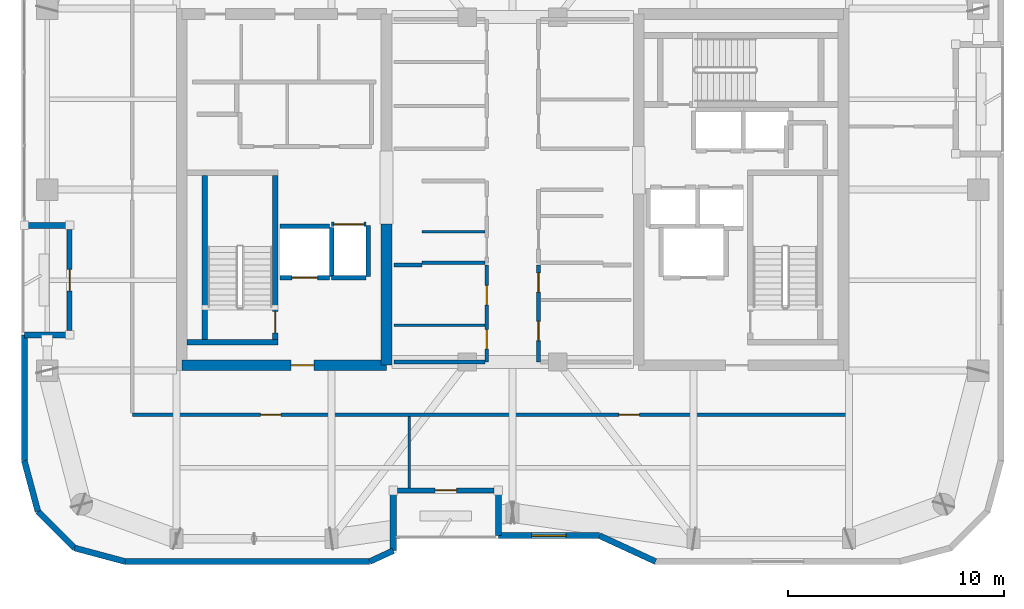
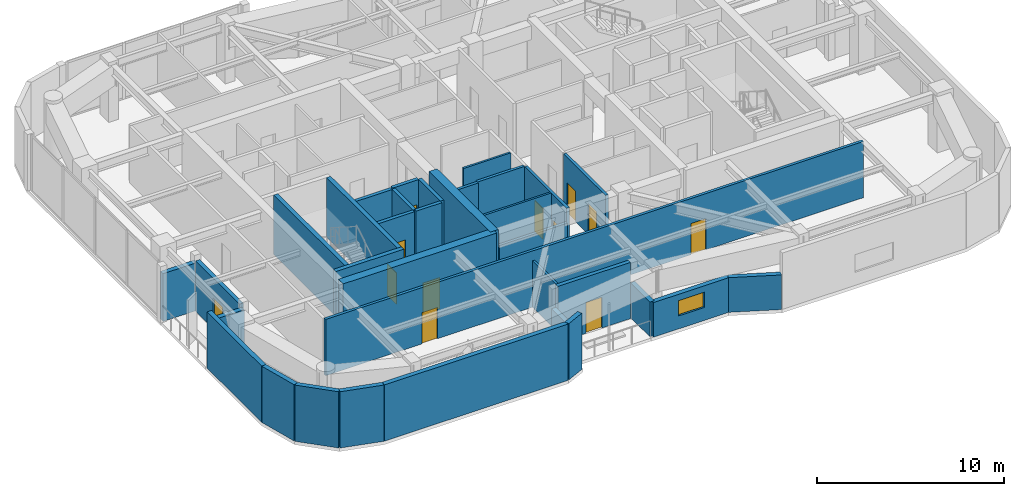
# One storey, part 10 of 15: 34 walls, 12 doors, 1 window, 13 openings.
"""IFC4 building model written with IfcOpenShell, lengths in metres."""

from ifc_helpers import new_model, si_unit, direction, frame, frame_2d, origin, place, context, subcontext, project, spatial, rectangle, extrude, material, layer, layer_set, type_object, element, fill, save


model = new_model("IFC4")

# Units and contexts
model_context = context("Model", 3, precision=1e-05, world=origin(), true_north=direction((0.0, 1.0)))
body_context = subcontext(model_context, "Body", "Model", "MODEL_VIEW")
ifc_project = project(units=[si_unit("LENGTHUNIT", "METRE"), si_unit("AREAUNIT", "SQUARE_METRE"), si_unit("VOLUMEUNIT", "CUBIC_METRE"), si_unit("PLANEANGLEUNIT", "RADIAN"), si_unit("MASSUNIT", "GRAM", prefix="KILO")], contexts=[model_context])

# Site, building, storey
site_placement = place(None, origin())
site = spatial("IfcSite", under=ifc_project, at=site_placement, CompositionType="ELEMENT")
building_placement = place(site_placement, origin())
building = spatial("IfcBuilding", under=site, at=building_placement, Name="Kiyonajd Concourse Tower", CompositionType="ELEMENT")
storey_placement = place(building_placement, frame((0.0, 0.0, 274.5)))
storey = spatial("IfcBuildingStorey", under=building, at=storey_placement, Name="L69", CompositionType="ELEMENT", Elevation=274.5)

# Wall
ifc_material_1 = material(Name="Concrete C60/75", Category="concrete")
ifc_layer_1 = layer(ifc_material_1, 0.5)
ifc_layer_set_1 = layer_set([ifc_layer_1], Name="Concrete C60/75")
wall_type_1 = type_object("IfcWallType", Name="WL-CORE-500", PredefinedType="SHEAR", material=ifc_layer_set_1)
wall_1_placement = place(storey_placement, frame((42.14990234375, 27.85009765625, 0.0), z_axis=(0.0, 0.0, 1.0), x_axis=(0.0, 1.0, 0.0)))
element("IfcWall", 1, at=wall_1_placement, inside=storey, type_object=wall_type_1, Name="L69 West Core Inner South Shear Wall", PredefinedType="SHEAR", context=body_context, shape_type="SweptSolid", body=[
    extrude(rectangle(XDim=6.5498046875, YDim=0.5, at=frame_2d((3.27490234375, 0.0))), origin(), (0.0, 0.0, 1.0), 3.89990234375),
])

# Wall, opening, door
wall_2_placement = place(storey_placement, frame((32.64990234375, 27.85009765625, 0.0), z_axis=(0.0, 0.0, 1.0), x_axis=(1.0, 0.0, 0.0)))
wall_2 = element("IfcWall", 2, at=wall_2_placement, inside=storey, type_object=wall_type_1, Name="L69 West Core South Shear Wall", PredefinedType="SHEAR", context=body_context, shape_type="SweptSolid", body=[
    extrude(rectangle(XDim=9.5, YDim=0.5, at=frame_2d((4.75, 0.0))), origin(), (0.0, 0.0, 1.0), 3.89990234375),
])
opening_1_placement = place(wall_2_placement, frame((5.074951171875, 0.0, 0.0)))
opening_1 = element("IfcOpeningElement", 3, at=opening_1_placement, cuts=wall_2, Name="Opening DF5", PredefinedType="OPENING", context=body_context, shape_type="SweptSolid", body=[
    extrude(rectangle(XDim=1.050048828125, YDim=2.0400390625, at=frame_2d((0.52490234375, 1.02001953125))), frame((0.0, 0.260009765625, 0.0), z_axis=(0.0, -1.0, 0.0), x_axis=(1.0, 0.0, 0.0)), (0.0, 0.0, 1.0), 0.52001953125),
])
ifc_material_2 = material(Name="Brushed Stainless Steel Cab Assembly", Category="steel")
door_type_1 = type_object("IfcDoorType", Name="DR-FD45-1050", OperationType="NOTDEFINED", PredefinedType="DOOR", material=ifc_material_2)
door_1_placement = place(opening_1_placement, origin())
door_1 = element("IfcDoor", 4, at=door_1_placement, inside=storey, type_object=door_type_1, Name="L69 Firefighting Lift Lobby W Smoke Door", OperationType="SINGLE_SWING_LEFT", OverallHeight=2.0400390625, OverallWidth=1.050048828125, PredefinedType="DOOR", context=body_context, shape_type="SweptSolid", body=[
    extrude(rectangle(XDim=1.050048828125, YDim=2.0400390625, at=frame_2d((0.52490234375, 1.02001953125))), frame((0.0, 0.02490234375, 0.0), z_axis=(0.0, -1.0, 0.0), x_axis=(1.0, 0.0, 0.0)), (0.0, 0.0, 1.0), 0.050048828125),
])
fill(opening_1, door_1)

# Walls
ifc_material_3 = material(Name="Precast concrete C50/60", Category="concrete")
ifc_layer_2 = layer(ifc_material_3, 0.280029296875)
ifc_layer_set_2 = layer_set([ifc_layer_2], Name="Precast concrete C50/60")
wall_type_2 = type_object("IfcWallType", Name="WL-EXT-280", PredefinedType="SOLIDWALL", material=ifc_layer_set_2)
wall_3_placement = place(storey_placement, frame((25.968505859375, 21.072509765625, 0.0), z_axis=(0.0, 0.0, 1.0), x_axis=(-0.258751159445, 0.965944013639, 0.0)))
element("IfcWall", 5, at=wall_3_placement, inside=storey, type_object=wall_type_2, Name="L69 Exterior Concrete Frame Wall 00", PredefinedType="SOLIDWALL", context=body_context, shape_type="SweptSolid", body=[
    extrude(rectangle(XDim=2.4287109375, YDim=0.280029296875, at=frame_2d((1.21435546875, 0.0))), origin(), (0.0, 0.0, 1.0), 3.679931640625),
])
wall_4_placement = place(storey_placement, frame((25.340087890625, 23.41845703125, 0.0), z_axis=(0.0, 0.0, 1.0), x_axis=(0.0, 1.0, 0.0)))
element("IfcWall", 6, at=wall_4_placement, inside=storey, type_object=wall_type_2, Name="L69 Exterior Concrete Frame Wall 01", PredefinedType="SOLIDWALL", context=body_context, shape_type="SweptSolid", body=[
    extrude(rectangle(XDim=5.841552734375, YDim=0.280029296875, at=frame_2d((2.9208984375, 0.0))), origin(), (0.0, 0.0, 1.0), 3.679931640625),
])
for number, where, z_axis, x_axis, name in (
    (7, (25.340087890625, 29.260009765625, 0.0), (0.0, 0.0, 1.0), (1.0, 0.0, 0.0), "L69 Exterior Concrete Frame Wall 02"),
    (8, (27.43994140625, 34.340087890625, 0.0), (0.0, 0.0, 1.0), (-1.0, 0.0, 0.0), "L69 Exterior Concrete Frame Wall 04"),
):
    element("IfcWall", number, at=place(storey_placement, frame(where, z_axis=z_axis, x_axis=x_axis)), inside=storey, type_object=wall_type_2, Name=name, PredefinedType="SOLIDWALL", context=body_context, shape_type="SweptSolid", body=[
        extrude(rectangle(XDim=2.099853515625, YDim=0.280029296875, at=frame_2d((1.0498046875, 0.0))), origin(), (0.0, 0.0, 1.0), 3.1259765625),
    ])
wall_5_placement = place(storey_placement, frame((54.630615234375, 18.739990234375, 0.0), z_axis=(0.0, 0.0, 1.0), x_axis=(-0.907956889006, 0.419063584324, 0.0)))
element("IfcWall", 9, at=wall_5_placement, inside=storey, type_object=wall_type_2, Name="L69 Exterior Concrete Frame Wall 29", PredefinedType="SOLIDWALL", context=body_context, shape_type="SweptSolid", body=[
    extrude(rectangle(XDim=2.863525390625, YDim=0.280029296875, at=frame_2d((1.431640625, 0.0))), origin(), (0.0, 0.0, 1.0), 2.264892578125),
])

# Wall, opening, window
wall_6_placement = place(storey_placement, frame((52.03076171875, 19.93994140625, 0.0), z_axis=(0.0, 0.0, 1.0), x_axis=(-1.0, 0.0, 0.0)))
wall_6 = element("IfcWall", 10, at=wall_6_placement, inside=storey, type_object=wall_type_2, Name="L69 Exterior Concrete Frame Wall 30", PredefinedType="SOLIDWALL", context=body_context, shape_type="SweptSolid", body=[
    extrude(rectangle(XDim=4.690673828125, YDim=0.280029296875, at=frame_2d((2.34521484375, 0.0))), origin(), (0.0, 0.0, 1.0), 2.264892578125),
])
opening_2_placement = place(wall_6_placement, frame((1.544921875, 0.0, 0.85009765625)))
opening_2 = element("IfcOpeningElement", 11, at=opening_2_placement, cuts=wall_6, Name="Opening WN6", PredefinedType="OPENING", context=body_context, shape_type="SweptSolid", body=[
    extrude(rectangle(XDim=1.60009765625, YDim=1.0, at=frame_2d((0.800048828125, 0.5))), frame((0.0, 0.14990234375, 0.0), z_axis=(0.0, -1.0, 0.0), x_axis=(1.0, 0.0, 0.0)), (0.0, 0.0, 1.0), 0.300048828125),
])
ifc_material_4 = material(Name="Double Low-E Insulated Glass", Category="glass")
window_type = type_object("IfcWindowType", Name="WN-VIS-1600x1000", PartitioningType="SINGLE_PANEL", PredefinedType="WINDOW", material=ifc_material_4)
window_placement = place(opening_2_placement, origin())
window = element("IfcWindow", 12, at=window_placement, inside=storey, type_object=window_type, Name="L69 Modular Facade Vision Window 30", OverallHeight=1.0, OverallWidth=1.60009765625, PartitioningType="SINGLE_PANEL", PredefinedType="WINDOW", context=body_context, shape_type="SweptSolid", body=[
    extrude(rectangle(XDim=1.60009765625, YDim=1.0, at=frame_2d((0.800048828125, 0.5))), frame((0.0, 0.030029296875, 0.0), z_axis=(0.0, -1.0, 0.0), x_axis=(1.0, 0.0, 0.0)), (0.0, 0.0, 1.0), 0.06005859375),
])
fill(opening_2, window)

# Walls
wall_7_placement = place(storey_placement, frame((47.340087890625, 19.93994140625, 0.0), z_axis=(0.0, 0.0, 1.0), x_axis=(0.0, 1.0, 0.0)))
element("IfcWall", 13, at=wall_7_placement, inside=storey, type_object=wall_type_2, Name="L69 Exterior Concrete Frame Wall 31", PredefinedType="SOLIDWALL", context=body_context, shape_type="SweptSolid", body=[
    extrude(rectangle(XDim=2.10009765625, YDim=0.280029296875, at=frame_2d((1.050048828125, 0.0))), origin(), (0.0, 0.0, 1.0), 2.264892578125),
])
wall_8_placement = place(storey_placement, frame((42.4599609375, 22.0400390625, 0.0), z_axis=(0.0, 0.0, 1.0), x_axis=(0.0, -1.0, 0.0)))
element("IfcWall", 14, at=wall_8_placement, inside=storey, type_object=wall_type_2, Name="L69 Exterior Concrete Frame Wall 33", PredefinedType="SOLIDWALL", context=body_context, shape_type="SweptSolid", body=[
    extrude(rectangle(XDim=2.79638671875, YDim=0.280029296875, at=frame_2d((1.398193359375, 0.0))), origin(), (0.0, 0.0, 1.0), 2.264892578125),
])
wall_9_placement = place(storey_placement, frame((42.4599609375, 19.24365234375, 0.0), z_axis=(0.0, 0.0, 1.0), x_axis=(-0.907893953211, -0.419199916176, 0.0)))
element("IfcWall", 15, at=wall_9_placement, inside=storey, type_object=wall_type_2, Name="L69 Exterior Concrete Frame Wall 34", PredefinedType="SOLIDWALL", context=body_context, shape_type="SweptSolid", body=[
    extrude(rectangle(XDim=1.201416015625, YDim=0.280029296875, at=frame_2d((0.6005859375, 0.0))), origin(), (0.0, 0.0, 1.0), 3.679931640625),
])
wall_10_placement = place(storey_placement, frame((41.369140625, 18.739990234375, 0.0), z_axis=(0.0, 0.0, 1.0), x_axis=(-1.0, 0.0, 0.0)))
element("IfcWall", 16, at=wall_10_placement, inside=storey, type_object=wall_type_2, Name="L69 Exterior Concrete Frame Wall 35", PredefinedType="SOLIDWALL", context=body_context, shape_type="SweptSolid", body=[
    extrude(rectangle(XDim=11.350830078125, YDim=0.280029296875, at=frame_2d((5.67529296875, 0.0))), origin(), (0.0, 0.0, 1.0), 3.679931640625),
])
wall_11_placement = place(storey_placement, frame((30.018310546875, 18.739990234375, 0.0), z_axis=(0.0, 0.0, 1.0), x_axis=(-0.965937282298, 0.25877628691, 0.0)))
element("IfcWall", 17, at=wall_11_placement, inside=storey, type_object=wall_type_2, Name="L69 Exterior Concrete Frame Wall 36", PredefinedType="SOLIDWALL", context=body_context, shape_type="SweptSolid", body=[
    extrude(rectangle(XDim=2.428466796875, YDim=0.280029296875, at=frame_2d((1.21435546875, 0.0))), origin(), (0.0, 0.0, 1.0), 3.679931640625),
])
wall_12_placement = place(storey_placement, frame((27.672607421875, 19.368408203125, 0.0), z_axis=(0.0, 0.0, 1.0), x_axis=(-0.707106781187, 0.707106781187, 0.0)))
element("IfcWall", 18, at=wall_12_placement, inside=storey, type_object=wall_type_2, Name="L69 Exterior Concrete Frame Wall 37", PredefinedType="SOLIDWALL", context=body_context, shape_type="SweptSolid", body=[
    extrude(rectangle(XDim=2.409912109375, YDim=0.280029296875, at=frame_2d((1.205078125, 0.0))), origin(), (0.0, 0.0, 1.0), 3.679931640625),
])

# Wall, opening, door
ifc_layer_3 = layer(ifc_material_3, 0.239990234375)
ifc_layer_set_3 = layer_set([ifc_layer_3], Name="Precast concrete C50/60")
wall_type_3 = type_object("IfcWallType", Name="WL-LOG-240", PredefinedType="SOLIDWALL", material=ifc_layer_set_3)
wall_13_placement = place(storey_placement, frame((27.43994140625, 29.455078125, 0.0), z_axis=(0.0, 0.0, 1.0), x_axis=(0.0, 1.0, 0.0)))
wall_13 = element("IfcWall", 19, at=wall_13_placement, inside=storey, type_object=wall_type_3, Name="L69 Recessed Loggia Thermal Wall LOG-W", PredefinedType="SOLIDWALL", context=body_context, shape_type="SweptSolid", body=[
    extrude(rectangle(XDim=4.68994140625, YDim=0.239990234375, at=frame_2d((2.344970703125, 0.0))), origin(), (0.0, 0.0, 1.0), 3.31103515625),
])
opening_3_placement = place(wall_13_placement, frame((1.844970703125, 0.0, 0.0)))
opening_3 = element("IfcOpeningElement", 20, at=opening_3_placement, cuts=wall_13, Name="Opening DL1", PredefinedType="OPENING", context=body_context, shape_type="SweptSolid", body=[
    extrude(rectangle(XDim=1.0, YDim=2.02001953125, at=frame_2d((0.5, 1.010009765625))), frame((0.0, 0.1298828125, 0.0), z_axis=(0.0, -1.0, 0.0), x_axis=(1.0, 0.0, 0.0)), (0.0, 0.0, 1.0), 0.260009765625),
])
ifc_material_5 = material(Name="Thermally Broken Anodised Aluminium", Category="aluminium")
door_type_2 = type_object("IfcDoorType", Name="DR-LOG-1000", OperationType="NOTDEFINED", PredefinedType="DOOR", material=ifc_material_5)
door_2_placement = place(opening_3_placement, origin())
door_2 = element("IfcDoor", 21, at=door_2_placement, inside=storey, type_object=door_type_2, Name="L69 Engawa Loggia Access Door LOG-W", OperationType="SINGLE_SWING_LEFT", OverallHeight=2.02001953125, OverallWidth=1.0, PredefinedType="DOOR", context=body_context, shape_type="SweptSolid", body=[
    extrude(rectangle(XDim=1.0, YDim=2.02001953125, at=frame_2d((0.5, 1.010009765625))), frame((0.0, 0.02490234375, 0.0), z_axis=(0.0, -1.0, 0.0), x_axis=(1.0, 0.0, 0.0)), (0.0, 0.0, 1.0), 0.050048828125),
])
fill(opening_3, door_2)

wall_14_placement = place(storey_placement, frame((47.14501953125, 22.0400390625, 0.0), z_axis=(0.0, 0.0, 1.0), x_axis=(-1.0, 0.0, 0.0)))
wall_14 = element("IfcWall", 22, at=wall_14_placement, inside=storey, type_object=wall_type_3, Name="L69 Recessed Loggia Thermal Wall LOG-S", PredefinedType="SOLIDWALL", context=body_context, shape_type="SweptSolid", body=[
    extrude(rectangle(XDim=4.489990234375, YDim=0.239990234375, at=frame_2d((2.2451171875, 0.0))), origin(), (0.0, 0.0, 1.0), 3.679931640625),
])
opening_4_placement = place(wall_14_placement, frame((1.7451171875, 0.0, 0.0)))
opening_4 = element("IfcOpeningElement", 23, at=opening_4_placement, cuts=wall_14, Name="Opening DL1", PredefinedType="OPENING", context=body_context, shape_type="SweptSolid", body=[
    extrude(rectangle(XDim=1.0, YDim=2.02001953125, at=frame_2d((0.5, 1.010009765625))), frame((0.0, 0.1298828125, 0.0), z_axis=(0.0, -1.0, 0.0), x_axis=(1.0, 0.0, 0.0)), (0.0, 0.0, 1.0), 0.260009765625),
])
door_3_placement = place(opening_4_placement, origin())
door_3 = element("IfcDoor", 24, at=door_3_placement, inside=storey, type_object=door_type_2, Name="L69 Engawa Loggia Access Door LOG-S", OperationType="SINGLE_SWING_RIGHT", OverallHeight=2.02001953125, OverallWidth=1.0, PredefinedType="DOOR", context=body_context, shape_type="SweptSolid", body=[
    extrude(rectangle(XDim=1.0, YDim=2.02001953125, at=frame_2d((0.5, 1.010009765625))), frame((0.0, 0.02490234375, 0.0), z_axis=(0.0, -1.0, 0.0), x_axis=(1.0, 0.0, 0.0)), (0.0, 0.0, 1.0), 0.050048828125),
])
fill(opening_4, door_3)

# Walls
ifc_material_6 = material(Name="Gypsum Board on Cold-Formed Steel Stud", Category="steel")
ifc_layer_4 = layer(ifc_material_6, 0.125)
ifc_layer_set_4 = layer_set([ifc_layer_4], Name="Gypsum Board on Cold-Formed Steel Stud")
wall_type_4 = type_object("IfcWallType", Name="WL-PART-125", PredefinedType="PARTITIONING", material=ifc_layer_set_4)
wall_15_placement = place(storey_placement, frame((43.800048828125, 34.0439453125, 0.0), z_axis=(0.0, 0.0, 1.0), x_axis=(1.0, 0.0, 0.0)))
element("IfcWall", 25, at=wall_15_placement, inside=storey, type_object=wall_type_4, Name="L69 Interior Partition Wall", PredefinedType="PARTITIONING", context=body_context, shape_type="SweptSolid", body=[
    extrude(rectangle(XDim=2.912841796875, YDim=0.125, at=frame_2d((1.45654296875, 0.0))), origin(), (0.0, 0.0, 1.0), 3.679931640625),
])
wall_16_placement = place(storey_placement, frame((42.5, 29.7099609375, 0.0), z_axis=(0.0, 0.0, 1.0), x_axis=(1.0, 0.0, 0.0)))
element("IfcWall", 26, at=wall_16_placement, inside=storey, type_object=wall_type_4, Name="L69 Interior Partition Wall", PredefinedType="PARTITIONING", context=body_context, shape_type="SweptSolid", body=[
    extrude(rectangle(XDim=4.212890625, YDim=0.125, at=frame_2d((2.1064453125, 0.0))), origin(), (0.0, 0.0, 1.0), 3.679931640625),
])
wall_17_placement = place(storey_placement, frame((43.199951171875, 22.155029296875, 0.0), z_axis=(0.0, 0.0, 1.0), x_axis=(0.0, 1.0, 0.0)))
element("IfcWall", 27, at=wall_17_placement, inside=storey, type_object=wall_type_4, Name="L69 Interior Partition Wall", PredefinedType="PARTITIONING", context=body_context, shape_type="SweptSolid", body=[
    extrude(rectangle(XDim=3.307861328125, YDim=0.125, at=frame_2d((1.65380859375, 0.0))), origin(), (0.0, 0.0, 1.0), 3.04296875),
])

# Wall, opening, door
ifc_layer_5 = layer(ifc_material_6, 0.2099609375)
ifc_layer_set_5 = layer_set([ifc_layer_5], Name="Gypsum Board on Cold-Formed Steel Stud")
wall_type_5 = type_object("IfcWallType", Name="WL-SHAFT-210", PredefinedType="PARTITIONING", material=ifc_layer_set_5)
wall_18_placement = place(storey_placement, frame((37.199951171875, 31.89990234375, 0.0), z_axis=(0.0, 0.0, 1.0), x_axis=(1.0, 0.0, 0.0)))
wall_18 = element("IfcWall", 28, at=wall_18_placement, inside=storey, type_object=wall_type_5, Name="L69 Shaft Enclosure Wall", PredefinedType="PARTITIONING", context=body_context, shape_type="SweptSolid", body=[
    extrude(rectangle(XDim=2.300048828125, YDim=0.2099609375, at=frame_2d((1.14990234375, 0.0))), origin(), (0.0, 0.0, 1.0), 3.679931640625),
])
opening_5_placement = place(wall_18_placement, frame((0.550048828125, 0.0, 0.0)))
opening_5 = element("IfcOpeningElement", 29, at=opening_5_placement, cuts=wall_18, Name="Opening LD2", PredefinedType="OPENING", context=body_context, shape_type="SweptSolid", body=[
    extrude(rectangle(XDim=1.199951171875, YDim=2.0400390625, at=frame_2d((0.60009765625, 1.02001953125))), frame((0.0, 0.114990234375, 0.0), z_axis=(0.0, -1.0, 0.0), x_axis=(1.0, 0.0, 0.0)), (0.0, 0.0, 1.0), 0.22998046875),
])
door_type_3 = type_object("IfcDoorType", Name="DR-LD-1200", OperationType="DOUBLE_DOOR_SLIDING", PredefinedType="DOOR", material=ifc_material_2)
door_4_placement = place(opening_5_placement, origin())
door_4 = element("IfcDoor", 30, at=door_4_placement, inside=storey, type_object=door_type_3, Name="L69 Lift FFL1 Sliding Landing Door", OperationType="DOUBLE_DOOR_SLIDING", OverallHeight=2.0400390625, OverallWidth=1.199951171875, PredefinedType="DOOR", context=body_context, shape_type="SweptSolid", body=[
    extrude(rectangle(XDim=1.199951171875, YDim=2.0400390625, at=frame_2d((0.60009765625, 1.02001953125))), frame((0.0, 0.02490234375, 0.0), z_axis=(0.0, -1.0, 0.0), x_axis=(1.0, 0.0, 0.0)), (0.0, 0.0, 1.0), 0.050048828125),
])
fill(opening_5, door_4)

# Walls
wall_19_placement = place(storey_placement, frame((37.199951171875, 34.300048828125, 0.0), z_axis=(0.0, 0.0, 1.0), x_axis=(1.0, 0.0, 0.0)))
element("IfcWall", 31, at=wall_19_placement, inside=storey, type_object=wall_type_5, Name="L69 Shaft Enclosure Wall", PredefinedType="PARTITIONING", context=body_context, shape_type="SweptSolid", body=[
    extrude(rectangle(XDim=2.300048828125, YDim=0.2099609375, at=frame_2d((1.14990234375, 0.0))), origin(), (0.0, 0.0, 1.0), 3.679931640625),
])
wall_20_placement = place(storey_placement, frame((39.60009765625, 31.9599609375, 0.0), z_axis=(0.0, 0.0, 1.0), x_axis=(0.0, 1.0, 0.0)))
element("IfcWall", 32, at=wall_20_placement, inside=storey, type_object=wall_type_5, Name="L69 Shaft Enclosure Wall", PredefinedType="PARTITIONING", context=body_context, shape_type="SweptSolid", body=[
    extrude(rectangle(XDim=2.280029296875, YDim=0.2099609375, at=frame_2d((1.14013671875, 0.0))), origin(), (0.0, 0.0, 1.0), 3.679931640625),
])

# Wall, opening, door
wall_21_placement = place(storey_placement, frame((39.60009765625, 34.39990234375, 0.0), z_axis=(0.0, 0.0, 1.0), x_axis=(1.0, 0.0, 0.0)))
wall_21 = element("IfcWall", 33, at=wall_21_placement, inside=storey, type_object=wall_type_5, Name="L69 Shaft Enclosure Wall", PredefinedType="PARTITIONING", context=body_context, shape_type="SweptSolid", body=[
    extrude(rectangle(XDim=1.599853515625, YDim=0.2099609375, at=frame_2d((0.7998046875, 0.0))), origin(), (0.0, 0.0, 1.0), 3.679931640625),
])
opening_6_placement = place(wall_21_placement, frame((0.10009765625, 0.0, 0.0)))
opening_6 = element("IfcOpeningElement", 34, at=opening_6_placement, cuts=wall_21, Name="Opening LD3", PredefinedType="OPENING", context=body_context, shape_type="SweptSolid", body=[
    extrude(rectangle(XDim=1.39990234375, YDim=2.06005859375, at=frame_2d((0.699951171875, 1.030029296875))), frame((0.0, 0.114990234375, 0.0), z_axis=(0.0, -1.0, 0.0), x_axis=(1.0, 0.0, 0.0)), (0.0, 0.0, 1.0), 0.22998046875),
])
door_type_4 = type_object("IfcDoorType", Name="DR-LD-1400", OperationType="DOUBLE_DOOR_SLIDING", PredefinedType="DOOR", material=ifc_material_2)
door_5_placement = place(opening_6_placement, origin())
door_5 = element("IfcDoor", 35, at=door_5_placement, inside=storey, type_object=door_type_4, Name="L69 Lift SVL1 Sliding Landing Door", OperationType="DOUBLE_DOOR_SLIDING", OverallHeight=2.06005859375, OverallWidth=1.39990234375, PredefinedType="DOOR", context=body_context, shape_type="SweptSolid", body=[
    extrude(rectangle(XDim=1.39990234375, YDim=2.06005859375, at=frame_2d((0.699951171875, 1.030029296875))), frame((0.0, 0.02490234375, 0.0), z_axis=(0.0, -1.0, 0.0), x_axis=(1.0, 0.0, 0.0)), (0.0, 0.0, 1.0), 0.050048828125),
])
fill(opening_6, door_5)

# Walls
wall_22_placement = place(storey_placement, frame((39.60009765625, 31.89990234375, 0.0), z_axis=(0.0, 0.0, 1.0), x_axis=(1.0, 0.0, 0.0)))
element("IfcWall", 36, at=wall_22_placement, inside=storey, type_object=wall_type_5, Name="L69 Shaft Enclosure Wall", PredefinedType="PARTITIONING", context=body_context, shape_type="SweptSolid", body=[
    extrude(rectangle(XDim=1.599853515625, YDim=0.2099609375, at=frame_2d((0.7998046875, 0.0))), origin(), (0.0, 0.0, 1.0), 3.679931640625),
])
wall_23_placement = place(storey_placement, frame((41.300048828125, 31.9599609375, 0.0), z_axis=(0.0, 0.0, 1.0), x_axis=(0.0, 1.0, 0.0)))
element("IfcWall", 37, at=wall_23_placement, inside=storey, type_object=wall_type_5, Name="L69 Shaft Enclosure Wall", PredefinedType="PARTITIONING", context=body_context, shape_type="SweptSolid", body=[
    extrude(rectangle(XDim=2.380126953125, YDim=0.2099609375, at=frame_2d((1.18994140625, 0.0))), origin(), (0.0, 0.0, 1.0), 3.679931640625),
])
ifc_layer_6 = layer(ifc_material_6, 0.169921875)
ifc_layer_set_6 = layer_set([ifc_layer_6], Name="Gypsum Board on Cold-Formed Steel Stud")
wall_type_6 = type_object("IfcWallType", Name="WL-SMK-170", PredefinedType="PARTITIONING", material=ifc_layer_set_6)
wall_24_placement = place(storey_placement, frame((43.800048828125, 32.60009765625, 0.0), z_axis=(0.0, 0.0, 1.0), x_axis=(1.0, 0.0, 0.0)))
element("IfcWall", 38, at=wall_24_placement, inside=storey, type_object=wall_type_6, Name="L69 Interior Partition Wall", PredefinedType="PARTITIONING", context=body_context, shape_type="SweptSolid", body=[
    extrude(rectangle(XDim=2.912841796875, YDim=0.169921875, at=frame_2d((1.45654296875, 0.0))), origin(), (0.0, 0.0, 1.0), 3.679931640625),
])

# Wall, openings, doors
wall_25_placement = place(storey_placement, frame((46.800048828125, 28.0, 0.0), z_axis=(0.0, 0.0, 1.0), x_axis=(0.0, 1.0, 0.0)))
wall_25 = element("IfcWall", 39, at=wall_25_placement, inside=storey, type_object=wall_type_6, Name="L69 Interior Partition Wall", PredefinedType="PARTITIONING", context=body_context, shape_type="SweptSolid", body=[
    extrude(rectangle(XDim=4.5, YDim=0.169921875, at=frame_2d((2.25, 0.0))), origin(), (0.0, 0.0, 1.0), 3.679931640625),
])
opening_7_placement = place(wall_25_placement, frame((0.60498046875, 0.0, 0.0)))
opening_7 = element("IfcOpeningElement", 40, at=opening_7_placement, cuts=wall_25, Name="Opening DI2", PredefinedType="OPENING", context=body_context, shape_type="SweptSolid", body=[
    extrude(rectangle(XDim=0.89990234375, YDim=2.02001953125, at=frame_2d((0.449951171875, 1.010009765625))), frame((0.0, 0.094970703125, 0.0), z_axis=(0.0, -1.0, 0.0), x_axis=(1.0, 0.0, 0.0)), (0.0, 0.0, 1.0), 0.18994140625),
])
opening_8_placement = place(wall_25_placement, frame((2.655029296875, 0.0, 0.0)))
opening_8 = element("IfcOpeningElement", 41, at=opening_8_placement, cuts=wall_25, Name="Opening DI2", PredefinedType="OPENING", context=body_context, shape_type="SweptSolid", body=[
    extrude(rectangle(XDim=0.89990234375, YDim=2.02001953125, at=frame_2d((0.449951171875, 1.010009765625))), frame((0.0, 0.094970703125, 0.0), z_axis=(0.0, -1.0, 0.0), x_axis=(1.0, 0.0, 0.0)), (0.0, 0.0, 1.0), 0.18994140625),
])
ifc_material_7 = material(Name="Natural Oak Acoustic Timber Veneer", Category="wood")
door_type_5 = type_object("IfcDoorType", Name="DR-INT-900", OperationType="NOTDEFINED", PredefinedType="DOOR", material=ifc_material_7)
door_6_placement = place(opening_7_placement, origin())
door_6 = element("IfcDoor", 42, at=door_6_placement, inside=storey, type_object=door_type_5, Name="L69 Interior Door", OperationType="SINGLE_SWING_LEFT", OverallHeight=2.02001953125, OverallWidth=0.89990234375, PredefinedType="DOOR", context=body_context, shape_type="SweptSolid", body=[
    extrude(rectangle(XDim=0.89990234375, YDim=2.02001953125, at=frame_2d((0.449951171875, 1.010009765625))), frame((0.0, 0.02490234375, 0.0), z_axis=(0.0, -1.0, 0.0), x_axis=(1.0, 0.0, 0.0)), (0.0, 0.0, 1.0), 0.050048828125),
])
fill(opening_7, door_6)
door_7_placement = place(opening_8_placement, origin())
door_7 = element("IfcDoor", 43, at=door_7_placement, inside=storey, type_object=door_type_5, Name="L69 Interior Door", OperationType="SINGLE_SWING_RIGHT", OverallHeight=2.02001953125, OverallWidth=0.89990234375, PredefinedType="DOOR", context=body_context, shape_type="SweptSolid", body=[
    extrude(rectangle(XDim=0.89990234375, YDim=2.02001953125, at=frame_2d((0.449951171875, 1.010009765625))), frame((0.0, 0.02490234375, 0.0), z_axis=(0.0, -1.0, 0.0), x_axis=(1.0, 0.0, 0.0)), (0.0, 0.0, 1.0), 0.050048828125),
])
fill(opening_8, door_7)

# Walls
wall_26_placement = place(storey_placement, frame((42.5, 28.0, 0.0), z_axis=(0.0, 0.0, 1.0), x_axis=(1.0, 0.0, 0.0)))
element("IfcWall", 44, at=wall_26_placement, inside=storey, type_object=wall_type_6, Name="L69 Interior Partition Wall", PredefinedType="PARTITIONING", context=body_context, shape_type="SweptSolid", body=[
    extrude(rectangle(XDim=4.212890625, YDim=0.169921875, at=frame_2d((2.1064453125, 0.0))), origin(), (0.0, 0.0, 1.0), 2.764892578125),
])
wall_27_placement = place(storey_placement, frame((42.5, 32.5, 0.0), z_axis=(0.0, 0.0, 1.0), x_axis=(1.0, 0.0, 0.0)))
element("IfcWall", 45, at=wall_27_placement, inside=storey, type_object=wall_type_6, Name="L69 Interior Partition Wall", PredefinedType="PARTITIONING", context=body_context, shape_type="SweptSolid", body=[
    extrude(rectangle(XDim=1.300048828125, YDim=0.169921875, at=frame_2d((0.64990234375, 0.0))), origin(), (0.0, 0.0, 1.0), 3.679931640625),
])

# Wall, openings, doors
wall_28_placement = place(storey_placement, frame((49.199951171875, 28.0, 0.0), z_axis=(0.0, 0.0, 1.0), x_axis=(0.0, 1.0, 0.0)))
wall_28 = element("IfcWall", 46, at=wall_28_placement, inside=storey, type_object=wall_type_6, Name="L69 Interior Partition Wall", PredefinedType="PARTITIONING", context=body_context, shape_type="SweptSolid", body=[
    extrude(rectangle(XDim=4.5, YDim=0.169921875, at=frame_2d((2.25, 0.0))), origin(), (0.0, 0.0, 1.0), 3.679931640625),
])
opening_9_placement = place(wall_28_placement, frame((0.989990234375, 0.0, 0.0)))
opening_9 = element("IfcOpeningElement", 47, at=opening_9_placement, cuts=wall_28, Name="Opening DF4", PredefinedType="OPENING", context=body_context, shape_type="SweptSolid", body=[
    extrude(rectangle(XDim=0.89990234375, YDim=2.02001953125, at=frame_2d((0.449951171875, 1.010009765625))), frame((0.0, 0.094970703125, 0.0), z_axis=(0.0, -1.0, 0.0), x_axis=(1.0, 0.0, 0.0)), (0.0, 0.0, 1.0), 0.18994140625),
])
opening_10_placement = place(wall_28_placement, frame((3.239990234375, 0.0, 0.0)))
opening_10 = element("IfcOpeningElement", 48, at=opening_10_placement, cuts=wall_28, Name="Opening DF4", PredefinedType="OPENING", context=body_context, shape_type="SweptSolid", body=[
    extrude(rectangle(XDim=0.89990234375, YDim=2.02001953125, at=frame_2d((0.449951171875, 1.010009765625))), frame((0.0, 0.094970703125, 0.0), z_axis=(0.0, -1.0, 0.0), x_axis=(1.0, 0.0, 0.0)), (0.0, 0.0, 1.0), 0.18994140625),
])
door_type_6 = type_object("IfcDoorType", Name="DR-FD60-900", OperationType="NOTDEFINED", PredefinedType="DOOR", material=ifc_material_2)
door_8_placement = place(opening_9_placement, origin())
door_8 = element("IfcDoor", 49, at=door_8_placement, inside=storey, type_object=door_type_6, Name="L69 Interior Door", OperationType="SINGLE_SWING_LEFT", OverallHeight=2.02001953125, OverallWidth=0.89990234375, PredefinedType="DOOR", context=body_context, shape_type="SweptSolid", body=[
    extrude(rectangle(XDim=0.89990234375, YDim=2.02001953125, at=frame_2d((0.449951171875, 1.010009765625))), frame((0.0, 0.02490234375, 0.0), z_axis=(0.0, -1.0, 0.0), x_axis=(1.0, 0.0, 0.0)), (0.0, 0.0, 1.0), 0.050048828125),
])
fill(opening_9, door_8)
door_9_placement = place(opening_10_placement, origin())
door_9 = element("IfcDoor", 50, at=door_9_placement, inside=storey, type_object=door_type_6, Name="L69 Interior Door", OperationType="SINGLE_SWING_RIGHT", OverallHeight=2.02001953125, OverallWidth=0.89990234375, PredefinedType="DOOR", context=body_context, shape_type="SweptSolid", body=[
    extrude(rectangle(XDim=0.89990234375, YDim=2.02001953125, at=frame_2d((0.449951171875, 1.010009765625))), frame((0.0, 0.02490234375, 0.0), z_axis=(0.0, -1.0, 0.0), x_axis=(1.0, 0.0, 0.0)), (0.0, 0.0, 1.0), 0.050048828125),
])
fill(opening_10, door_9)

wall_29_placement = place(storey_placement, frame((30.35009765625, 25.550048828125, 0.0), z_axis=(0.0, 0.0, 1.0), x_axis=(1.0, 0.0, 0.0)))
wall_29 = element("IfcWall", 51, at=wall_29_placement, inside=storey, type_object=wall_type_6, Name="L69 Interior Partition Wall", PredefinedType="PARTITIONING", context=body_context, shape_type="SweptSolid", body=[
    extrude(rectangle(XDim=33.25, YDim=0.169921875, at=frame_2d((16.625, 0.0))), origin(), (0.0, 0.0, 1.0), 3.679931640625),
])
opening_11_placement = place(wall_29_placement, frame((5.949951171875, 0.0, 0.0)))
opening_11 = element("IfcOpeningElement", 52, at=opening_11_placement, cuts=wall_29, Name="Opening DI1", PredefinedType="OPENING", context=body_context, shape_type="SweptSolid", body=[
    extrude(rectangle(XDim=0.949951171875, YDim=2.0400390625, at=frame_2d((0.47509765625, 1.02001953125))), frame((0.0, 0.094970703125, 0.0), z_axis=(0.0, -1.0, 0.0), x_axis=(1.0, 0.0, 0.0)), (0.0, 0.0, 1.0), 0.18994140625),
])
opening_12_placement = place(wall_29_placement, frame((22.574951171875, 0.0, 0.0)))
opening_12 = element("IfcOpeningElement", 53, at=opening_12_placement, cuts=wall_29, Name="Opening DI1", PredefinedType="OPENING", context=body_context, shape_type="SweptSolid", body=[
    extrude(rectangle(XDim=0.949951171875, YDim=2.0400390625, at=frame_2d((0.47509765625, 1.02001953125))), frame((0.0, 0.094970703125, 0.0), z_axis=(0.0, -1.0, 0.0), x_axis=(1.0, 0.0, 0.0)), (0.0, 0.0, 1.0), 0.18994140625),
])
door_type_7 = type_object("IfcDoorType", Name="DR-INT-950", OperationType="NOTDEFINED", PredefinedType="DOOR", material=ifc_material_7)
door_10_placement = place(opening_11_placement, origin())
door_10 = element("IfcDoor", 54, at=door_10_placement, inside=storey, type_object=door_type_7, Name="L69 Interior Door", OperationType="SINGLE_SWING_RIGHT", OverallHeight=2.0400390625, OverallWidth=0.949951171875, PredefinedType="DOOR", context=body_context, shape_type="SweptSolid", body=[
    extrude(rectangle(XDim=0.949951171875, YDim=2.0400390625, at=frame_2d((0.47509765625, 1.02001953125))), frame((0.0, 0.02490234375, 0.0), z_axis=(0.0, -1.0, 0.0), x_axis=(1.0, 0.0, 0.0)), (0.0, 0.0, 1.0), 0.050048828125),
])
fill(opening_11, door_10)
door_11_placement = place(opening_12_placement, origin())
door_11 = element("IfcDoor", 55, at=door_11_placement, inside=storey, type_object=door_type_7, Name="L69 Interior Door", OperationType="SINGLE_SWING_LEFT", OverallHeight=2.0400390625, OverallWidth=0.949951171875, PredefinedType="DOOR", context=body_context, shape_type="SweptSolid", body=[
    extrude(rectangle(XDim=0.949951171875, YDim=2.0400390625, at=frame_2d((0.47509765625, 1.02001953125))), frame((0.0, 0.02490234375, 0.0), z_axis=(0.0, -1.0, 0.0), x_axis=(1.0, 0.0, 0.0)), (0.0, 0.0, 1.0), 0.050048828125),
])
fill(opening_12, door_11)

# Walls
ifc_material_8 = material(Name="Concrete C50/60", Category="concrete")
ifc_layer_7 = layer(ifc_material_8, 0.260009765625)
ifc_layer_set_7 = layer_set([ifc_layer_7], Name="Concrete C50/60")
wall_type_7 = type_object("IfcWallType", Name="WL-STAIR-260", PredefinedType="SHEAR", material=ifc_layer_set_7)
wall_30_placement = place(storey_placement, frame((32.89990234375, 28.919921875, 0.0), z_axis=(0.0, 0.0, 1.0), x_axis=(1.0, 0.0, 0.0)))
element("IfcWall", 56, at=wall_30_placement, inside=storey, type_object=wall_type_7, Name="L69 Stair ST1 Structural South Wall", PredefinedType="SHEAR", context=body_context, shape_type="SweptSolid", body=[
    extrude(rectangle(XDim=4.210205078125, YDim=0.260009765625, at=frame_2d((2.10498046875, 0.0))), origin(), (0.0, 0.0, 1.0), 3.89990234375),
])
wall_31_placement = place(storey_placement, frame((33.719970703125, 29.050048828125, 0.0), z_axis=(0.0, 0.0, 1.0), x_axis=(0.0, 1.0, 0.0)))
element("IfcWall", 57, at=wall_31_placement, inside=storey, type_object=wall_type_7, Name="L69 Stair ST1 Structural West Wall", PredefinedType="SHEAR", context=body_context, shape_type="SweptSolid", body=[
    extrude(rectangle(XDim=7.599853515625, YDim=0.260009765625, at=frame_2d((3.7998046875, 0.0))), origin(), (0.0, 0.0, 1.0), 3.89990234375),
])

# Wall, opening, door
wall_32_placement = place(storey_placement, frame((36.97998046875, 29.050048828125, 0.0), z_axis=(0.0, 0.0, 1.0), x_axis=(0.0, 1.0, 0.0)))
wall_32 = element("IfcWall", 58, at=wall_32_placement, inside=storey, type_object=wall_type_7, Name="L69 Stair ST1 Structural East Wall", PredefinedType="SHEAR", context=body_context, shape_type="SweptSolid", body=[
    extrude(rectangle(XDim=7.599853515625, YDim=0.260009765625, at=frame_2d((3.7998046875, 0.0))), origin(), (0.0, 0.0, 1.0), 3.89990234375),
])
opening_13_placement = place(wall_32_placement, frame((0.300048828125, 0.0, 0.0)))
opening_13 = element("IfcOpeningElement", 59, at=opening_13_placement, cuts=wall_32, Name="Opening DF1", PredefinedType="OPENING", context=body_context, shape_type="SweptSolid", body=[
    extrude(rectangle(XDim=1.0, YDim=2.0400390625, at=frame_2d((0.5, 1.02001953125))), frame((0.0, 0.139892578125, 0.0), z_axis=(0.0, -1.0, 0.0), x_axis=(1.0, 0.0, 0.0)), (0.0, 0.0, 1.0), 0.280029296875),
])
door_type_8 = type_object("IfcDoorType", Name="DR-FD90-1000", OperationType="NOTDEFINED", PredefinedType="DOOR", material=ifc_material_2)
door_12_placement = place(opening_13_placement, origin())
door_12 = element("IfcDoor", 60, at=door_12_placement, inside=storey, type_object=door_type_8, Name="L69 Stair ST1 FSAE Door", OperationType="SINGLE_SWING_LEFT", OverallHeight=2.0400390625, OverallWidth=1.0, PredefinedType="DOOR", context=body_context, shape_type="SweptSolid", body=[
    extrude(rectangle(XDim=1.0, YDim=2.0400390625, at=frame_2d((0.5, 1.02001953125))), frame((0.0, 0.02490234375, 0.0), z_axis=(0.0, -1.0, 0.0), x_axis=(1.0, 0.0, 0.0)), (0.0, 0.0, 1.0), 0.050048828125),
])
fill(opening_13, door_12)

save(model, "model.ifc")
